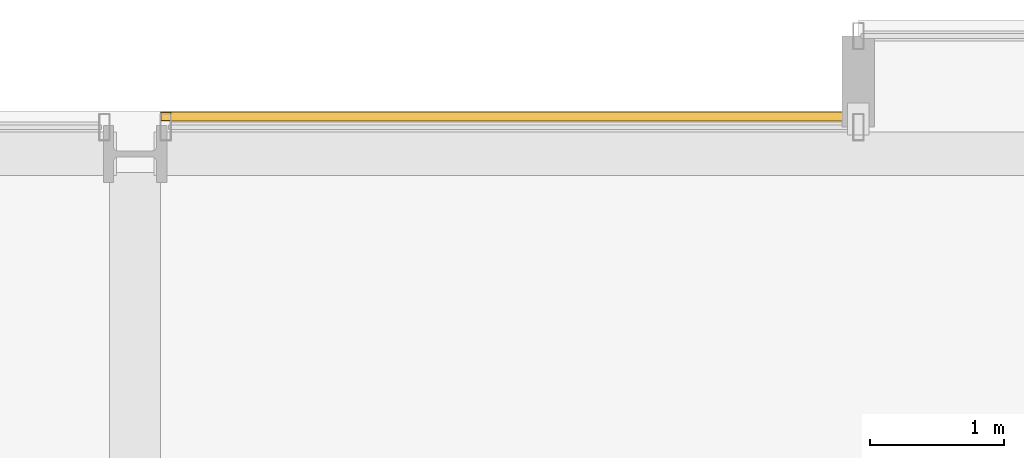
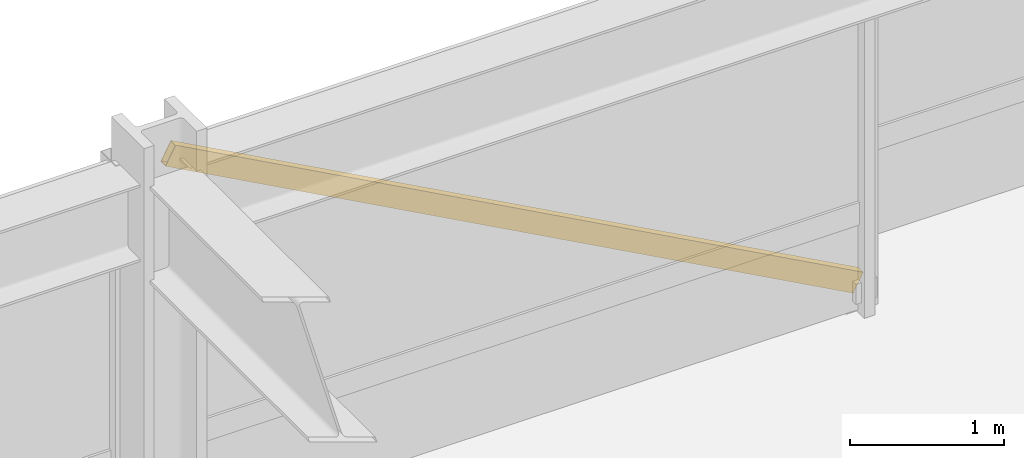
# One storey, part 37 of 37: 1 shading device.
"""IFC4 building model written with IfcOpenShell, lengths in metres."""

from ifc_helpers import new_model, si_unit, direction, frame, origin, origin_2d, place, context, subcontext, project, spatial, hollow_rectangle, extrude, material, material_profile, profile_set, type_object, element, save


model = new_model("IFC4")

# Units and contexts
model_context = context("Model", 3, precision=1e-05, world=origin(), true_north=direction((0.0, 1.0)))
body_context = subcontext(model_context, "Body", "Model", "MODEL_VIEW")
ifc_project = project(units=[si_unit("LENGTHUNIT", "METRE"), si_unit("AREAUNIT", "SQUARE_METRE"), si_unit("VOLUMEUNIT", "CUBIC_METRE"), si_unit("PLANEANGLEUNIT", "RADIAN"), si_unit("MASSUNIT", "GRAM", prefix="KILO")], contexts=[model_context])

# Site, building, storey
site_placement = place(None, origin())
site = spatial("IfcSite", under=ifc_project, at=site_placement, CompositionType="ELEMENT")
building_placement = place(site_placement, origin())
building = spatial("IfcBuilding", under=site, at=building_placement, Name="Drelvath Grand Hotel", CompositionType="ELEMENT")
storey_placement = place(building_placement, frame((0.0, 0.0, 78.699951171875)))
storey = spatial("IfcBuildingStorey", under=building, at=storey_placement, Name="L19", CompositionType="ELEMENT", Elevation=78.699951171875)

# Shading device
ifc_material = material(Name="Warm Bronze Anodised Aluminium", Category="aluminium")
ifc_material_profile = material_profile(ifc_material, hollow_rectangle(XDim=0.06494140625, YDim=0.159912109375, WallThickness=0.00390625, at=origin_2d()), Name="HSS160X65X4")
ifc_profile_set = profile_set([ifc_material_profile], Name="Warm Bronze Anodised Aluminium")
shading_device_type = type_object("IfcShadingDeviceType", Name="Diagonal Solar Fin Warm Bronze Anodised HSS160X65X4", PredefinedType="USERDEFINED", material=ifc_profile_set)
shading_device_placement = place(storey_placement, frame((5.39990234375, 53.280029296875, 0.179931640625), z_axis=(-0.877925669135, 0.0, 0.47879695015), x_axis=(0.0, -1.0, 0.0)))
element("IfcShadingDevice", 1, at=shading_device_placement, inside=storey, type_object=shading_device_type, Name="L19 Diagonal Anodised Fin CW02-L19-NM2", ObjectType="FIN", PredefinedType="USERDEFINED", context=body_context, shape_type="SweptSolid", body=[
    extrude(hollow_rectangle(XDim=0.06494140625, YDim=0.159912109375, WallThickness=0.00390625, at=origin_2d()), origin(), (0.0, 0.0, 1.0), 5.889892578125),
])

save(model, "model.ifc")
